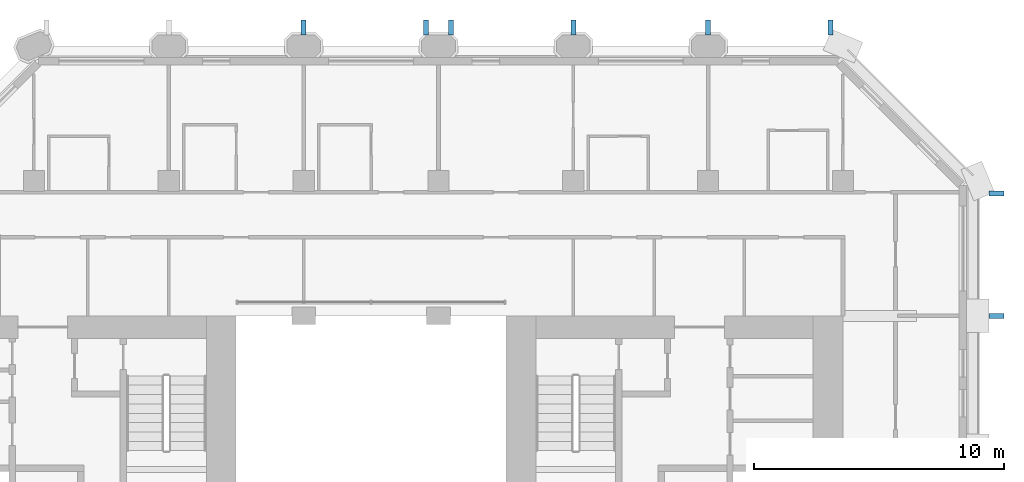
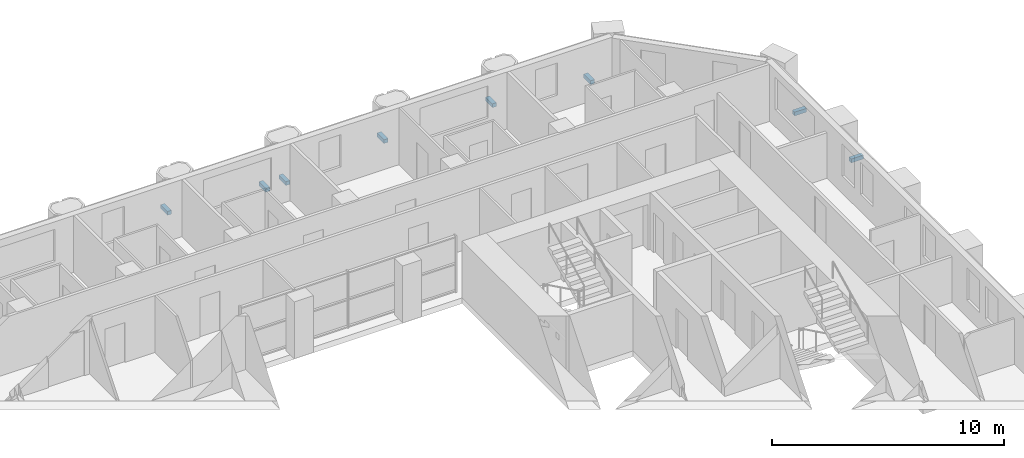
# One storey, part 11 of 13: 8 discrete accessories.
"""IFC4 building model written with IfcOpenShell, lengths in metres."""

from ifc_helpers import new_model, si_unit, direction, frame, origin, origin_2d, place, context, subcontext, project, spatial, rectangle, extrude, element, save


model = new_model("IFC4")

# Units and contexts
model_context = context("Model", 3, precision=1e-05, world=origin(), true_north=direction((0.0, 1.0)))
body_context = subcontext(model_context, "Body", "Model", "MODEL_VIEW")
ifc_project = project(units=[si_unit("LENGTHUNIT", "METRE"), si_unit("AREAUNIT", "SQUARE_METRE"), si_unit("VOLUMEUNIT", "CUBIC_METRE"), si_unit("PLANEANGLEUNIT", "RADIAN"), si_unit("MASSUNIT", "GRAM", prefix="KILO")], contexts=[model_context])

# Site, building, storey
site_placement = place(None, origin())
site = spatial("IfcSite", under=ifc_project, at=site_placement, CompositionType="ELEMENT")
building_placement = place(site_placement, origin())
building = spatial("IfcBuilding", under=site, at=building_placement, Name="Tabaq Tower and Sports Hall", CompositionType="ELEMENT")
storey_placement = place(building_placement, frame((0.0, 0.0, 169.300048828125)))
storey = spatial("IfcBuildingStorey", under=building, at=storey_placement, Name="L40", CompositionType="ELEMENT", Elevation=169.300048828125)

# Discrete accessories
for number, where, z_axis, x_axis, name in (
    (1, (49.35009765625, 32.39990234375, 0.39990234375), (0.0, 0.0, 1.0), (1.0, 0.0, 0.0), "Stainless steel bracket"),
    (2, (49.35009765625, 37.300048828125, -0.10009765625), (0.0, 0.0, 1.0), (1.0, 0.0, 0.0), "Stainless steel bracket"),
    (3, (42.699951171875, 43.949951171875, -0.10009765625), (0.0, 0.0, 1.0), (0.0, 1.0, 0.0), "Stainless steel bracket"),
    (4, (37.800048828125, 43.949951171875, 0.39990234375), (0.0, 0.0, 1.0), (0.0, 1.0, 0.0), "Stainless steel bracket"),
    (5, (32.39990234375, 43.949951171875, 0.39990234375), (0.0, 0.0, 1.0), (0.0, 1.0, 0.0), "Stainless steel bracket"),
    (6, (27.5, 43.949951171875, -0.10009765625), (0.0, 0.0, 1.0), (0.0, 1.0, 0.0), "Stainless steel bracket"),
    (7, (26.5, 43.949951171875, -0.10009765625), (0.0, 0.0, 1.0), (0.0, 1.0, 0.0), "Stainless steel bracket"),
    (8, (21.60009765625, 43.949951171875, 0.39990234375), (0.0, 0.0, 1.0), (0.0, 1.0, 0.0), "Stainless steel bracket"),
):
    element("IfcDiscreteAccessory", number, at=place(storey_placement, frame(where, z_axis=z_axis, x_axis=x_axis)), inside=storey, Name=name, PredefinedType="BRACKET", context=body_context, shape_type="SweptSolid", body=[
        extrude(rectangle(XDim=0.60009765625, YDim=0.199951171875, at=origin_2d()), origin(), (0.0, 0.0, 1.0), 0.199951171875),
    ])

save(model, "model.ifc")
